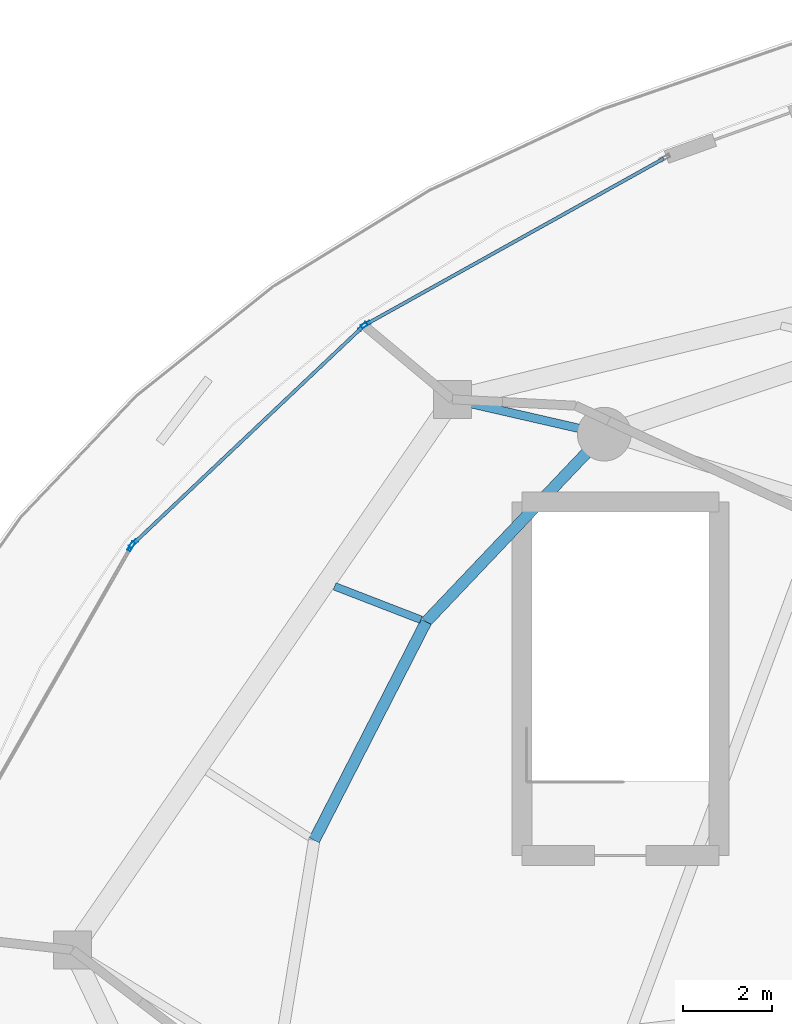
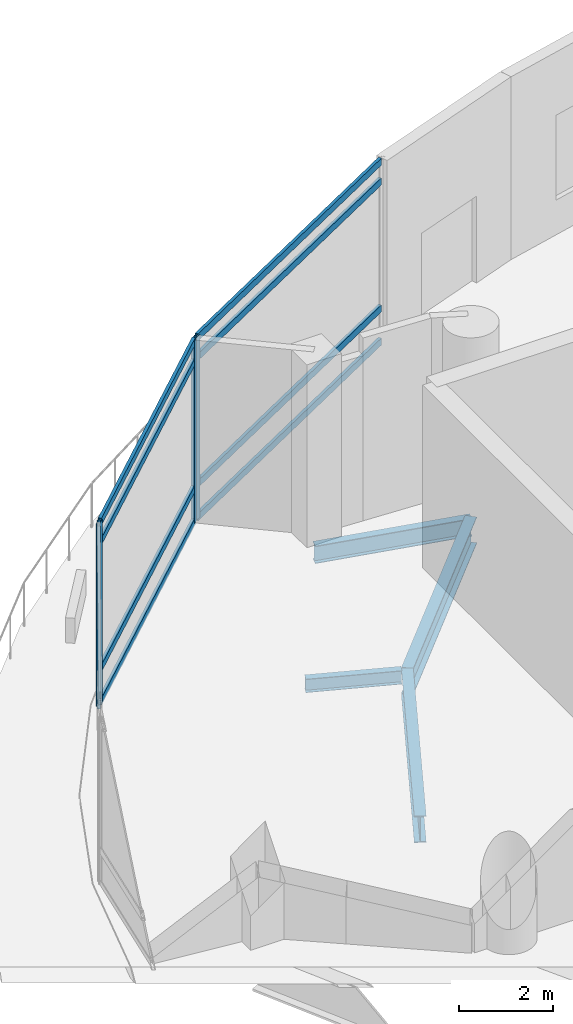
# One storey, part 15 of 34: 12 members, 4 beams, 3 elements without a shape of their own.
"""IFC4 building model written with IfcOpenShell, lengths in metres."""

from ifc_helpers import new_model, si_unit, direction, frame, origin, origin_2d, place, context, subcontext, project, spatial, hollow_rectangle, i_section, extrude, material, layer, layer_set, material_profile, profile_set, type_object, element, aggregate, save


model = new_model("IFC4")

# Units and contexts
model_context = context("Model", 3, precision=1e-05, world=origin(), true_north=direction((0.0, 1.0)))
body_context = subcontext(model_context, "Body", "Model", "MODEL_VIEW")
ifc_project = project(units=[si_unit("LENGTHUNIT", "METRE"), si_unit("AREAUNIT", "SQUARE_METRE"), si_unit("VOLUMEUNIT", "CUBIC_METRE"), si_unit("PLANEANGLEUNIT", "RADIAN"), si_unit("MASSUNIT", "GRAM", prefix="KILO")], contexts=[model_context])

# Site, building, storey
site_placement = place(None, origin())
site = spatial("IfcSite", under=ifc_project, at=site_placement, CompositionType="ELEMENT")
building_placement = place(site_placement, origin())
building = spatial("IfcBuilding", under=site, at=building_placement, Name="Nuhasar Tower", CompositionType="ELEMENT")
storey_placement = place(building_placement, frame((0.0, 0.0, 16.0)))
storey = spatial("IfcBuildingStorey", under=building, at=storey_placement, Name="L03", CompositionType="ELEMENT", Elevation=16.0)

# Beams
ifc_material_1 = material(Name="Steel S355", Category="steel")
ifc_material_profile_1 = material_profile(ifc_material_1, i_section(OverallWidth=0.1708984375, OverallDepth=0.35205078125, WebThickness=0.0068359375, FlangeThickness=0.009765625, at=origin_2d()), Name="W14X30")
ifc_profile_set_1 = profile_set([ifc_material_profile_1], Name="Steel S355")
beam_type_1 = type_object("IfcBeamType", Name="BM-JST-W14X30", PredefinedType="JOIST", material=ifc_profile_set_1)
beam_1_placement = place(storey_placement, frame((17.18994140625, 36.969970703125, -0.47607421875), z_axis=(-0.932506562789, 0.361153029001, 0.0), x_axis=(-0.361153029001, -0.932506562789, 0.0)))
element("IfcBeam", 1, at=beam_1_placement, inside=storey, type_object=beam_type_1, Name="L03 Podium Secondary Joist 13", PredefinedType="JOIST", context=body_context, shape_type="SweptSolid", body=[
    extrude(i_section(OverallWidth=0.1708984375, OverallDepth=0.35205078125, WebThickness=0.0068359375, FlangeThickness=0.009765625, at=origin_2d()), origin(), (0.0, 0.0, 1.0), 2.068603515625),
])
ifc_material_profile_2 = material_profile(ifc_material_1, i_section(OverallWidth=0.18994140625, OverallDepth=0.45703125, WebThickness=0.009033203125, FlangeThickness=0.014404296875, at=origin_2d()), Name="W18X50")
ifc_profile_set_2 = profile_set([ifc_material_profile_2], Name="Steel S355")
beam_type_2 = type_object("IfcBeamType", Name="BM-RAD-W18X50", PredefinedType="BEAM", material=ifc_profile_set_2)
beam_2_placement = place(storey_placement, frame((21.287109375, 41.118896484375, -0.529052734375), z_axis=(-0.974715141502, 0.223451097394, 0.0), x_axis=(-0.223451097394, -0.974715141502, 0.0)))
element("IfcBeam", 2, at=beam_2_placement, inside=storey, type_object=beam_type_2, Name="L03 Podium Radial Girder 07", PredefinedType="BEAM", context=body_context, shape_type="SweptSolid", body=[
    extrude(i_section(OverallWidth=0.18994140625, OverallDepth=0.45703125, WebThickness=0.009033203125, FlangeThickness=0.014404296875, at=origin_2d()), origin(), (0.0, 0.0, 1.0), 3.482177734375),
])
ifc_material_profile_3 = material_profile(ifc_material_1, i_section(OverallWidth=0.256103515625, OverallDepth=0.693115234375, WebThickness=0.014404296875, FlangeThickness=0.023681640625, at=origin_2d()), Name="W27X114")
ifc_profile_set_3 = profile_set([ifc_material_profile_3], Name="Steel S355")
beam_type_3 = type_object("IfcBeamType", Name="BM-RING-W27X114", PredefinedType="SPANDREL", material=ifc_profile_set_3)
beam_3_placement = place(storey_placement, frame((21.287109375, 41.118896484375, -0.64697265625), z_axis=(-0.688480893507, -0.725254478976, 0.0), x_axis=(0.725254478976, -0.688480893507, 0.0)))
element("IfcBeam", 3, at=beam_3_placement, inside=storey, type_object=beam_type_3, Name="L03 Mega-Column Perimeter Ring Spandrel 07-1", PredefinedType="SPANDREL", context=body_context, shape_type="SweptSolid", body=[
    extrude(i_section(OverallWidth=0.256103515625, OverallDepth=0.693115234375, WebThickness=0.014404296875, FlangeThickness=0.023681640625, at=origin_2d()), origin(), (0.0, 0.0, 1.0), 5.782470703125),
])
beam_4_placement = place(storey_placement, frame((17.305908203125, 36.925048828125, -0.64697265625), z_axis=(-0.455930023905, -0.890015625314, 0.0), x_axis=(0.890015625314, -0.455930023905, 0.0)))
element("IfcBeam", 4, at=beam_4_placement, inside=storey, type_object=beam_type_3, Name="L03 Mega-Column Perimeter Ring Spandrel 07-2", PredefinedType="SPANDREL", context=body_context, shape_type="SweptSolid", body=[
    extrude(i_section(OverallWidth=0.256103515625, OverallDepth=0.693115234375, WebThickness=0.014404296875, FlangeThickness=0.023681640625, at=origin_2d()), origin(), (0.0, 0.0, 1.0), 5.487548828125),
])

# Curtain wall, member
ifc_material_2 = material(Name="Aluminium 6063-T6", Category="aluminium")
ifc_layer = layer(ifc_material_2, 0.219970703125)
ifc_layer_set = layer_set([ifc_layer], Name="Aluminium 6063-T6")
curtain_wall_type = type_object("IfcCurtainWallType", Name="CW-PODIUM", PredefinedType="NOTDEFINED", material=ifc_layer_set)
curtain_wall_1_placement = place(storey_placement, origin())
curtain_wall_1 = element("IfcCurtainWall", 5, at=curtain_wall_1_placement, inside=storey, type_object=curtain_wall_type, Name="L03 Podium Curtain Wall Bay 09", PredefinedType="NOTDEFINED")
ifc_material_profile_4 = material_profile(ifc_material_2, hollow_rectangle(XDim=0.074951171875, YDim=0.219970703125, WallThickness=0.0048828125, at=origin_2d()), Name="CWM-1")
ifc_profile_set_4 = profile_set([ifc_material_profile_4], Name="Aluminium 6063-T6")
member_type_1 = type_object("IfcMemberType", Name="CW-MUL-S1", PredefinedType="MULLION", material=ifc_profile_set_4)
member_1_placement = place(storey_placement, frame((15.952880859375, 43.5693359375, 0.0), z_axis=(0.0, 0.0, 1.0), x_axis=(0.486575351992, -0.873638613406, 0.0)))
member_1 = element("IfcMember", 6, at=member_1_placement, type_object=member_type_1, Name="CW-P1 mullion 2", PredefinedType="MULLION", context=body_context, shape_type="SweptSolid", body=[
    extrude(hollow_rectangle(XDim=0.074951171875, YDim=0.219970703125, WallThickness=0.0048828125, at=origin_2d()), origin(), (0.0, 0.0, 1.0), 4.739990234375),
])

# Curtain wall, members
curtain_wall_2_placement = place(storey_placement, origin())
curtain_wall_2 = element("IfcCurtainWall", 7, at=curtain_wall_2_placement, inside=storey, type_object=curtain_wall_type, Name="L03 Podium Curtain Wall Bay 10", PredefinedType="NOTDEFINED")
member_2_placement = place(storey_placement, frame((15.892822265625, 43.525146484375, 0.0), z_axis=(0.0, 0.0, 1.0), x_axis=(0.687153902439, -0.726511881777, 0.0)))
member_2 = element("IfcMember", 8, at=member_2_placement, type_object=member_type_1, Name="CW-P1 mullion 1", PredefinedType="MULLION", context=body_context, shape_type="SweptSolid", body=[
    extrude(hollow_rectangle(XDim=0.074951171875, YDim=0.219970703125, WallThickness=0.0048828125, at=origin_2d()), origin(), (0.0, 0.0, 1.0), 4.739990234375),
])
member_3_placement = place(storey_placement, frame((10.76025390625, 38.670654296875, 0.0), z_axis=(0.0, 0.0, 1.0), x_axis=(0.687153902439, -0.726511881777, 0.0)))
member_3 = element("IfcMember", 9, at=member_3_placement, type_object=member_type_1, Name="CW-P1 mullion 2", PredefinedType="MULLION", context=body_context, shape_type="SweptSolid", body=[
    extrude(hollow_rectangle(XDim=0.074951171875, YDim=0.219970703125, WallThickness=0.0048828125, at=origin_2d()), origin(), (0.0, 0.0, 1.0), 4.739990234375),
])

# Curtain wall, member
curtain_wall_3_placement = place(storey_placement, origin())
curtain_wall_3 = element("IfcCurtainWall", 10, at=curtain_wall_3_placement, inside=storey, type_object=curtain_wall_type, Name="L03 Podium Curtain Wall Bay 11", PredefinedType="NOTDEFINED")
member_4_placement = place(storey_placement, frame((10.71435546875, 38.612548828125, 0.0), z_axis=(0.0, 0.0, 1.0), x_axis=(0.86851426961, -0.495664164011, 0.0)))
member_4 = element("IfcMember", 11, at=member_4_placement, type_object=member_type_1, Name="CW-P1 mullion 1", PredefinedType="MULLION", context=body_context, shape_type="SweptSolid", body=[
    extrude(hollow_rectangle(XDim=0.074951171875, YDim=0.219970703125, WallThickness=0.0048828125, at=origin_2d()), origin(), (0.0, 0.0, 1.0), 4.739990234375),
])
aggregate(curtain_wall_3, [member_4])

# Member
ifc_material_profile_5 = material_profile(ifc_material_2, hollow_rectangle(XDim=0.074951171875, YDim=0.179931640625, WallThickness=0.00439453125, at=origin_2d()), Name="CWT-1")
ifc_profile_set_5 = profile_set([ifc_material_profile_5], Name="Aluminium 6063-T6")
member_type_2 = type_object("IfcMemberType", Name="CW-TRN-S1", PredefinedType="USERDEFINED", material=ifc_profile_set_5)
member_5_placement = place(storey_placement, frame((22.614501953125, 47.279541015625, 0.03759765625), z_axis=(-0.873630115398, -0.486590609722, 0.0), x_axis=(0.486590609722, -0.873630115398, 0.0)))
member_5 = element("IfcMember", 12, at=member_5_placement, type_object=member_type_2, Name="CW-P1 transom 1.1", ObjectType="TRANSOM", PredefinedType="USERDEFINED", context=body_context, shape_type="SweptSolid", body=[
    extrude(hollow_rectangle(XDim=0.074951171875, YDim=0.179931640625, WallThickness=0.00439453125, at=origin_2d()), origin(), (0.0, 0.0, 1.0), 7.587890625),
])

member_6_placement = place(storey_placement, frame((22.614501953125, 47.279541015625, 0.89990234375), z_axis=(-0.873630115398, -0.486590609722, 0.0), x_axis=(0.486590609722, -0.873630115398, 0.0)))
member_6 = element("IfcMember", 13, at=member_6_placement, type_object=member_type_2, Name="CW-P1 transom 1.2", ObjectType="TRANSOM", PredefinedType="USERDEFINED", context=body_context, shape_type="SweptSolid", body=[
    extrude(hollow_rectangle(XDim=0.074951171875, YDim=0.179931640625, WallThickness=0.00439453125, at=origin_2d()), origin(), (0.0, 0.0, 1.0), 7.587890625),
])

member_7_placement = place(storey_placement, frame((22.614501953125, 47.279541015625, 4.18994140625), z_axis=(-0.873630115398, -0.486590609722, 0.0), x_axis=(0.486590609722, -0.873630115398, 0.0)))
member_7 = element("IfcMember", 14, at=member_7_placement, type_object=member_type_2, Name="CW-P1 transom 1.3", ObjectType="TRANSOM", PredefinedType="USERDEFINED", context=body_context, shape_type="SweptSolid", body=[
    extrude(hollow_rectangle(XDim=0.074951171875, YDim=0.179931640625, WallThickness=0.00439453125, at=origin_2d()), origin(), (0.0, 0.0, 1.0), 7.587890625),
])

member_8_placement = place(storey_placement, frame((22.614501953125, 47.279541015625, 4.702392578125), z_axis=(-0.873630115398, -0.486590609722, 0.0), x_axis=(0.486590609722, -0.873630115398, 0.0)))
member_8 = element("IfcMember", 15, at=member_8_placement, type_object=member_type_2, Name="CW-P1 transom 1.4", ObjectType="TRANSOM", PredefinedType="USERDEFINED", context=body_context, shape_type="SweptSolid", body=[
    extrude(hollow_rectangle(XDim=0.074951171875, YDim=0.179931640625, WallThickness=0.00439453125, at=origin_2d()), origin(), (0.0, 0.0, 1.0), 7.587890625),
])

aggregate(curtain_wall_1, [member_1, member_5, member_6, member_7, member_8])

member_9_placement = place(storey_placement, frame((15.865478515625, 43.49951171875, 0.03759765625), z_axis=(-0.726498578965, -0.687167966921, 0.0), x_axis=(0.687167966921, -0.726498578965, 0.0)))
member_9 = element("IfcMember", 16, at=member_9_placement, type_object=member_type_2, Name="CW-P1 transom 1.1", ObjectType="TRANSOM", PredefinedType="USERDEFINED", context=body_context, shape_type="SweptSolid", body=[
    extrude(hollow_rectangle(XDim=0.074951171875, YDim=0.179931640625, WallThickness=0.00439453125, at=origin_2d()), origin(), (0.0, 0.0, 1.0), 6.989501953125),
])

member_10_placement = place(storey_placement, frame((15.865478515625, 43.49951171875, 0.89990234375), z_axis=(-0.726498578965, -0.687167966921, 0.0), x_axis=(0.687167966921, -0.726498578965, 0.0)))
member_10 = element("IfcMember", 17, at=member_10_placement, type_object=member_type_2, Name="CW-P1 transom 1.2", ObjectType="TRANSOM", PredefinedType="USERDEFINED", context=body_context, shape_type="SweptSolid", body=[
    extrude(hollow_rectangle(XDim=0.074951171875, YDim=0.179931640625, WallThickness=0.00439453125, at=origin_2d()), origin(), (0.0, 0.0, 1.0), 6.989501953125),
])

member_11_placement = place(storey_placement, frame((15.865478515625, 43.49951171875, 4.18994140625), z_axis=(-0.726498578965, -0.687167966921, 0.0), x_axis=(0.687167966921, -0.726498578965, 0.0)))
member_11 = element("IfcMember", 18, at=member_11_placement, type_object=member_type_2, Name="CW-P1 transom 1.3", ObjectType="TRANSOM", PredefinedType="USERDEFINED", context=body_context, shape_type="SweptSolid", body=[
    extrude(hollow_rectangle(XDim=0.074951171875, YDim=0.179931640625, WallThickness=0.00439453125, at=origin_2d()), origin(), (0.0, 0.0, 1.0), 6.989501953125),
])

member_12_placement = place(storey_placement, frame((15.865478515625, 43.49951171875, 4.702392578125), z_axis=(-0.726498578965, -0.687167966921, 0.0), x_axis=(0.687167966921, -0.726498578965, 0.0)))
member_12 = element("IfcMember", 19, at=member_12_placement, type_object=member_type_2, Name="CW-P1 transom 1.4", ObjectType="TRANSOM", PredefinedType="USERDEFINED", context=body_context, shape_type="SweptSolid", body=[
    extrude(hollow_rectangle(XDim=0.074951171875, YDim=0.179931640625, WallThickness=0.00439453125, at=origin_2d()), origin(), (0.0, 0.0, 1.0), 6.989501953125),
])

aggregate(curtain_wall_2, [member_2, member_3, member_9, member_10, member_11, member_12])

save(model, "model.ifc")
